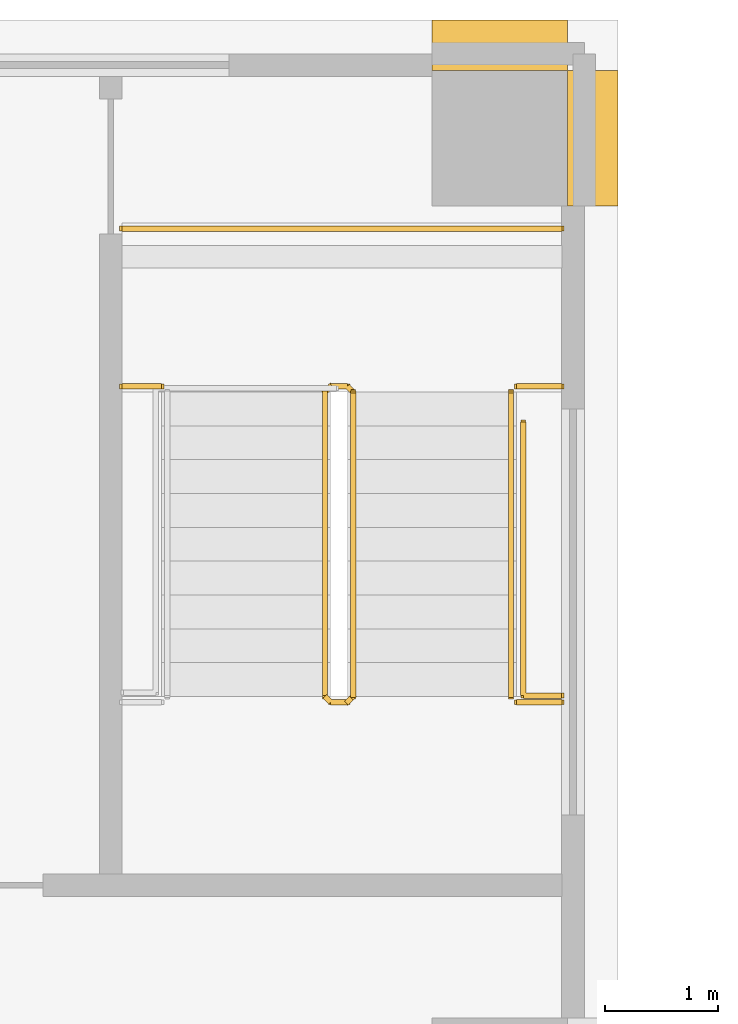
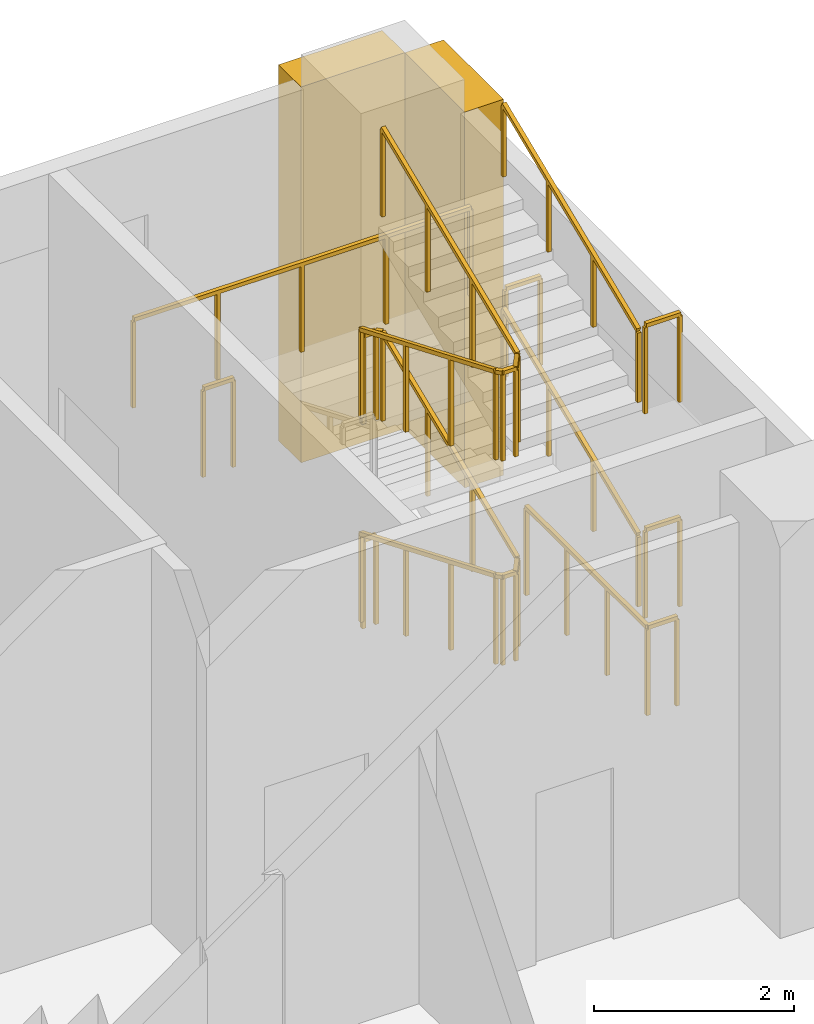
# One storey, part 21 of 21: 9 railings, 2 coverings.
"""IFC4 building model written with IfcOpenShell, lengths in metres."""

from ifc_helpers import new_model, si_unit, direction, frame, origin, origin_2d, place, context, subcontext, project, spatial, polyline, rectangle, outline, extrude, material, type_object, element, save


model = new_model("IFC4")

# Units and contexts
model_context = context("Model", 3, precision=1e-05, world=origin(), true_north=direction((0.0, 1.0)))
body_context = subcontext(model_context, "Body", "Model", "MODEL_VIEW")
ifc_project = project(units=[si_unit("LENGTHUNIT", "METRE"), si_unit("AREAUNIT", "SQUARE_METRE"), si_unit("VOLUMEUNIT", "CUBIC_METRE"), si_unit("PLANEANGLEUNIT", "RADIAN"), si_unit("MASSUNIT", "GRAM", prefix="KILO")], contexts=[model_context])

# Site, building, storey
site_placement = place(None, origin())
site = spatial("IfcSite", under=ifc_project, at=site_placement, CompositionType="ELEMENT")
building_placement = place(site_placement, origin())
building = spatial("IfcBuilding", under=site, at=building_placement, Name="Vermilion Ogive Tower", CompositionType="ELEMENT")
storey_placement = place(building_placement, frame((0.0, 0.0, 25.0)))
storey = spatial("IfcBuildingStorey", under=building, at=storey_placement, Name="L04", CompositionType="ELEMENT", Elevation=25.0)

# Railings
ifc_material_1 = material(Name="Steel S355 painted", Category="steel")
railing_type_1 = type_object("IfcRailingType", Name="Stair guard 1100", PredefinedType="GUARDRAIL", material=ifc_material_1)
railing_1_placement = place(storey_placement, frame((40.64990234375, 27.199951171875, 0.0)))
element("IfcRailing", 1, at=railing_1_placement, inside=storey, type_object=railing_type_1, Name="L04 PS2 stair guard 8", PredefinedType="GUARDRAIL", context=body_context, shape_type="SweptSolid", body=[
    extrude(rectangle(XDim=0.048095703125, YDim=0.048095703125, at=origin_2d()), frame((0.0, 0.0, 1.076171875), z_axis=(-1.0, 0.0, 0.0), x_axis=(0.0, -1.0, 0.0)), (0.0, 0.0, 1.0), 0.14990234375),
    extrude(rectangle(XDim=0.048095703125, YDim=0.048095703125, at=origin_2d()), frame((-0.14990234375, 0.0, 1.076171875), z_axis=(-0.34841279274, -0.34841279274, 0.870182194549), x_axis=(0.707106781187, -0.707106781187, 0.0)), (0.0, 0.0, 1.0), 0.1435546875),
    extrude(rectangle(XDim=0.048095703125, YDim=0.048095703125, at=origin_2d()), frame((-0.199951171875, -0.050048828125, 1.201171875), z_axis=(0.0, -0.923074453586, 0.384621311341), x_axis=(1.0, 0.0, 0.0)), (0.0, 0.0, 1.0), 2.925048828125),
    extrude(rectangle(XDim=0.048095703125, YDim=0.048095703125, at=origin_2d()), frame((-0.199951171875, -2.75, 2.326171875), z_axis=(0.707106781187, -0.707106781187, 0.0), x_axis=(0.707106781187, 0.707106781187, 0.0)), (0.0, 0.0, 1.0), 0.07080078125),
    extrude(rectangle(XDim=0.048095703125, YDim=0.048095703125, at=origin_2d()), frame((-0.14990234375, -2.800048828125, 2.326171875), z_axis=(1.0, 0.0, 0.0), x_axis=(0.0, 1.0, 0.0)), (0.0, 0.0, 1.0), 0.14990234375),
    extrude(rectangle(XDim=0.048095703125, YDim=0.048095703125, at=origin_2d()), frame((0.0, -2.800048828125, 2.326171875), z_axis=(0.34841279274, 0.34841279274, 0.870182194549), x_axis=(-0.707106781187, 0.707106781187, 0.0)), (0.0, 0.0, 1.0), 0.1435546875),
    extrude(rectangle(XDim=0.048095703125, YDim=0.048095703125, at=origin_2d()), frame((0.050048828125, -2.75, 2.451171875), z_axis=(0.0, 0.923074453586, 0.384621311341), x_axis=(-1.0, 0.0, 0.0)), (0.0, 0.0, 1.0), 2.925048828125),
    extrude(rectangle(XDim=0.048095703125, YDim=0.048095703125, at=origin_2d()), frame((0.050048828125, -0.050048828125, 3.576171875), z_axis=(-0.707106781187, 0.707106781187, 0.0), x_axis=(-0.707106781187, -0.707106781187, 0.0)), (0.0, 0.0, 1.0), 0.07080078125),
    extrude(rectangle(XDim=0.048095703125, YDim=0.048095703125, at=origin_2d()), frame((0.0, 0.0, 3.576171875), z_axis=(-1.0, 0.0, 0.0), x_axis=(0.0, -1.0, 0.0)), (0.0, 0.0, 1.0), 0.14990234375),
    extrude(rectangle(XDim=0.048095703125, YDim=0.048095703125, at=origin_2d()), frame((-0.14990234375, 0.0, 3.576171875), z_axis=(-0.34841279274, -0.34841279274, 0.870182194549), x_axis=(0.707106781187, -0.707106781187, 0.0)), (0.0, 0.0, 1.0), 0.1435546875),
    extrude(rectangle(XDim=0.048095703125, YDim=0.048095703125, at=origin_2d()), frame((-0.199951171875, -0.050048828125, 3.701171875), z_axis=(0.0, -0.923074453586, 0.384621311341), x_axis=(1.0, 0.0, 0.0)), (0.0, 0.0, 1.0), 2.925048828125),
    extrude(rectangle(XDim=0.048095703125, YDim=0.048095703125, at=origin_2d()), frame((-0.199951171875, -2.75, 4.826171875), z_axis=(0.707106781187, -0.707106781187, 0.0), x_axis=(0.707106781187, 0.707106781187, 0.0)), (0.0, 0.0, 1.0), 0.07080078125),
    extrude(rectangle(XDim=0.048095703125, YDim=0.048095703125, at=origin_2d()), frame((-0.14990234375, -2.800048828125, 4.826171875), z_axis=(1.0, 0.0, 0.0), x_axis=(0.0, 1.0, 0.0)), (0.0, 0.0, 1.0), 0.14990234375),
    extrude(rectangle(XDim=0.048095703125, YDim=0.048095703125, at=origin_2d()), frame((0.0, -2.800048828125, 4.826171875), z_axis=(0.34841279274, 0.34841279274, 0.870182194549), x_axis=(-0.707106781187, 0.707106781187, 0.0)), (0.0, 0.0, 1.0), 0.1435546875),
    extrude(rectangle(XDim=0.048095703125, YDim=0.048095703125, at=origin_2d()), frame((0.050048828125, -2.75, 4.951171875), z_axis=(0.0, 0.923074453586, 0.384621311341), x_axis=(-1.0, 0.0, 0.0)), (0.0, 0.0, 1.0), 2.925048828125),
    extrude(rectangle(XDim=0.0419921875, YDim=0.0419921875, at=origin_2d()), origin(), (0.0, 0.0, 1.0), 1.052001953125),
    extrude(rectangle(XDim=0.0419921875, YDim=0.0419921875, at=origin_2d()), frame((-0.14990234375, 0.0, 0.0)), (0.0, 0.0, 1.0), 1.052001953125),
    extrude(rectangle(XDim=0.0419921875, YDim=0.0419921875, at=origin_2d()), frame((-0.199951171875, -0.050048828125, 0.125)), (0.0, 0.0, 1.0), 1.052001953125),
    extrude(rectangle(XDim=0.0419921875, YDim=0.0419921875, at=origin_2d()), frame((-0.199951171875, -0.949951171875, 0.5)), (0.0, 0.0, 1.0), 1.052001953125),
    extrude(rectangle(XDim=0.0419921875, YDim=0.0419921875, at=origin_2d()), frame((-0.199951171875, -1.85009765625, 0.875)), (0.0, 0.0, 1.0), 1.052001953125),
    extrude(rectangle(XDim=0.0419921875, YDim=0.0419921875, at=origin_2d()), frame((-0.199951171875, -2.75, 1.25)), (0.0, 0.0, 1.0), 1.052001953125),
    extrude(rectangle(XDim=0.0419921875, YDim=0.0419921875, at=origin_2d()), frame((-0.14990234375, -2.800048828125, 1.25)), (0.0, 0.0, 1.0), 1.052001953125),
    extrude(rectangle(XDim=0.0419921875, YDim=0.0419921875, at=origin_2d()), frame((0.0, -2.800048828125, 1.25)), (0.0, 0.0, 1.0), 1.052001953125),
    extrude(rectangle(XDim=0.0419921875, YDim=0.0419921875, at=origin_2d()), frame((0.050048828125, -2.75, 1.375)), (0.0, 0.0, 1.0), 1.052001953125),
    extrude(rectangle(XDim=0.0419921875, YDim=0.0419921875, at=origin_2d()), frame((0.050048828125, -1.85009765625, 1.75)), (0.0, 0.0, 1.0), 1.052001953125),
    extrude(rectangle(XDim=0.0419921875, YDim=0.0419921875, at=origin_2d()), frame((0.050048828125, -0.949951171875, 2.125)), (0.0, 0.0, 1.0), 1.052001953125),
    extrude(rectangle(XDim=0.0419921875, YDim=0.0419921875, at=origin_2d()), frame((0.050048828125, -0.050048828125, 2.5)), (0.0, 0.0, 1.0), 1.052001953125),
    extrude(rectangle(XDim=0.0419921875, YDim=0.0419921875, at=origin_2d()), frame((0.0, 0.0, 2.5)), (0.0, 0.0, 1.0), 1.052001953125),
    extrude(rectangle(XDim=0.0419921875, YDim=0.0419921875, at=origin_2d()), frame((-0.14990234375, 0.0, 2.5)), (0.0, 0.0, 1.0), 1.052001953125),
    extrude(rectangle(XDim=0.0419921875, YDim=0.0419921875, at=origin_2d()), frame((-0.199951171875, -0.050048828125, 2.625)), (0.0, 0.0, 1.0), 1.052001953125),
    extrude(rectangle(XDim=0.0419921875, YDim=0.0419921875, at=origin_2d()), frame((-0.199951171875, -0.949951171875, 3.0)), (0.0, 0.0, 1.0), 1.052001953125),
    extrude(rectangle(XDim=0.0419921875, YDim=0.0419921875, at=origin_2d()), frame((-0.199951171875, -1.85009765625, 3.375)), (0.0, 0.0, 1.0), 1.052001953125),
    extrude(rectangle(XDim=0.0419921875, YDim=0.0419921875, at=origin_2d()), frame((-0.199951171875, -2.75, 3.75)), (0.0, 0.0, 1.0), 1.052001953125),
    extrude(rectangle(XDim=0.0419921875, YDim=0.0419921875, at=origin_2d()), frame((-0.14990234375, -2.800048828125, 3.75)), (0.0, 0.0, 1.0), 1.052001953125),
    extrude(rectangle(XDim=0.0419921875, YDim=0.0419921875, at=origin_2d()), frame((0.0, -2.800048828125, 3.75)), (0.0, 0.0, 1.0), 1.052001953125),
    extrude(rectangle(XDim=0.0419921875, YDim=0.0419921875, at=origin_2d()), frame((0.050048828125, -2.75, 3.875)), (0.0, 0.0, 1.0), 1.052001953125),
    extrude(rectangle(XDim=0.0419921875, YDim=0.0419921875, at=origin_2d()), frame((0.050048828125, -1.85009765625, 4.25)), (0.0, 0.0, 1.0), 1.052001953125),
    extrude(rectangle(XDim=0.0419921875, YDim=0.0419921875, at=origin_2d()), frame((0.050048828125, -0.949951171875, 4.625)), (0.0, 0.0, 1.0), 1.052001953125),
    extrude(rectangle(XDim=0.0419921875, YDim=0.0419921875, at=origin_2d()), frame((0.050048828125, -0.050048828125, 5.0)), (0.0, 0.0, 1.0), 1.052001953125),
])
railing_2_placement = place(storey_placement, frame((42.14990234375, 24.39990234375, 1.25)))
element("IfcRailing", 2, at=railing_2_placement, inside=storey, type_object=railing_type_1, Name="L04 landing guard", PredefinedType="GUARDRAIL", context=body_context, shape_type="SweptSolid", body=[
    extrude(rectangle(XDim=0.048095703125, YDim=0.048095703125, at=origin_2d()), frame((0.0, 0.0, 1.076171875), z_axis=(1.0, 0.0, 0.0), x_axis=(0.0, 1.0, 0.0)), (0.0, 0.0, 1.0), 0.400146484375),
    extrude(rectangle(XDim=0.0419921875, YDim=0.0419921875, at=origin_2d()), origin(), (0.0, 0.0, 1.0), 1.052001953125),
    extrude(rectangle(XDim=0.0419921875, YDim=0.0419921875, at=origin_2d()), frame((0.400146484375, 0.0, 0.0)), (0.0, 0.0, 1.0), 1.052001953125),
])
railing_3_placement = place(storey_placement, frame((38.650146484375, 28.60009765625, 2.5)))
element("IfcRailing", 3, at=railing_3_placement, inside=storey, type_object=railing_type_1, Name="L04 landing guard", PredefinedType="GUARDRAIL", context=body_context, shape_type="SweptSolid", body=[
    extrude(rectangle(XDim=0.048095703125, YDim=0.048095703125, at=origin_2d()), frame((0.0, 0.0, 1.076171875), z_axis=(1.0, 0.0, 0.0), x_axis=(0.0, 1.0, 0.0)), (0.0, 0.0, 1.0), 3.89990234375),
    extrude(rectangle(XDim=0.0419921875, YDim=0.0419921875, at=origin_2d()), origin(), (0.0, 0.0, 1.0), 1.052001953125),
    extrude(rectangle(XDim=0.0419921875, YDim=0.0419921875, at=origin_2d()), frame((0.97509765625, 0.0, 0.0)), (0.0, 0.0, 1.0), 1.052001953125),
    extrude(rectangle(XDim=0.0419921875, YDim=0.0419921875, at=origin_2d()), frame((1.949951171875, 0.0, 0.0)), (0.0, 0.0, 1.0), 1.052001953125),
    extrude(rectangle(XDim=0.0419921875, YDim=0.0419921875, at=origin_2d()), frame((2.9248046875, 0.0, 0.0)), (0.0, 0.0, 1.0), 1.052001953125),
    extrude(rectangle(XDim=0.0419921875, YDim=0.0419921875, at=origin_2d()), frame((3.89990234375, 0.0, 0.0)), (0.0, 0.0, 1.0), 1.052001953125),
])
railing_4_placement = place(storey_placement, frame((38.650146484375, 27.199951171875, 2.5)))
element("IfcRailing", 4, at=railing_4_placement, inside=storey, type_object=railing_type_1, Name="L04 landing guard", PredefinedType="GUARDRAIL", context=body_context, shape_type="SweptSolid", body=[
    extrude(rectangle(XDim=0.048095703125, YDim=0.048095703125, at=origin_2d()), frame((0.0, 0.0, 1.076171875), z_axis=(1.0, 0.0, 0.0), x_axis=(0.0, 1.0, 0.0)), (0.0, 0.0, 1.0), 0.349853515625),
    extrude(rectangle(XDim=0.0419921875, YDim=0.0419921875, at=origin_2d()), origin(), (0.0, 0.0, 1.0), 1.052001953125),
    extrude(rectangle(XDim=0.0419921875, YDim=0.0419921875, at=origin_2d()), frame((0.349853515625, 0.0, 0.0)), (0.0, 0.0, 1.0), 1.052001953125),
])
for number, where, name in (
    (5, (42.14990234375, 27.199951171875, 2.5), "L04 landing guard"),
    (6, (42.14990234375, 24.39990234375, 3.75), "L04 landing guard"),
):
    element("IfcRailing", number, at=place(storey_placement, frame(where)), inside=storey, type_object=railing_type_1, Name=name, PredefinedType="GUARDRAIL", context=body_context, shape_type="SweptSolid", body=[
        extrude(rectangle(XDim=0.048095703125, YDim=0.048095703125, at=origin_2d()), frame((0.0, 0.0, 1.076171875), z_axis=(1.0, 0.0, 0.0), x_axis=(0.0, 1.0, 0.0)), (0.0, 0.0, 1.0), 0.400146484375),
        extrude(rectangle(XDim=0.0419921875, YDim=0.0419921875, at=origin_2d()), origin(), (0.0, 0.0, 1.0), 1.052001953125),
        extrude(rectangle(XDim=0.0419921875, YDim=0.0419921875, at=origin_2d()), frame((0.400146484375, 0.0, 0.0)), (0.0, 0.0, 1.0), 1.052001953125),
    ])
railing_5_placement = place(storey_placement, frame((42.209228515625, 26.88232421875, 0.0)))
element("IfcRailing", 7, at=railing_5_placement, inside=storey, type_object=railing_type_1, Name="L04 stair opening guard", PredefinedType="GUARDRAIL", context=body_context, shape_type="SweptSolid", body=[
    extrude(rectangle(XDim=0.048095703125, YDim=0.048095703125, at=origin_2d()), frame((0.0, 0.0, 1.076171875), z_axis=(0.0, -1.0, 0.0), x_axis=(1.0, 0.0, 0.0)), (0.0, 0.0, 1.0), 2.424072265625),
    extrude(rectangle(XDim=0.048095703125, YDim=0.048095703125, at=origin_2d()), frame((0.0, -2.424072265625, 1.076171875), z_axis=(1.0, 0.0, 0.0), x_axis=(0.0, 1.0, 0.0)), (0.0, 0.0, 1.0), 0.340087890625),
    extrude(rectangle(XDim=0.0419921875, YDim=0.0419921875, at=origin_2d()), origin(), (0.0, 0.0, 1.0), 1.052001953125),
    extrude(rectangle(XDim=0.0419921875, YDim=0.0419921875, at=origin_2d()), frame((0.0, -0.80810546875, 0.0)), (0.0, 0.0, 1.0), 1.052001953125),
    extrude(rectangle(XDim=0.0419921875, YDim=0.0419921875, at=origin_2d()), frame((0.0, -1.615966796875, 0.0)), (0.0, 0.0, 1.0), 1.052001953125),
    extrude(rectangle(XDim=0.0419921875, YDim=0.0419921875, at=origin_2d()), frame((0.0, -2.424072265625, 0.0)), (0.0, 0.0, 1.0), 1.052001953125),
    extrude(rectangle(XDim=0.0419921875, YDim=0.0419921875, at=origin_2d()), frame((0.340087890625, -2.424072265625, 0.0)), (0.0, 0.0, 1.0), 1.052001953125),
])
ifc_material_2 = material(Name="Stainless steel", Category="steel")
railing_type_2 = type_object("IfcRailingType", Name="Stair handrail 900", PredefinedType="HANDRAIL", material=ifc_material_2)
for number, where, name in (
    (8, (42.10009765625, 24.449951171875, 1.375), "L04 PS2 stair handrail 2"),
    (9, (42.10009765625, 24.449951171875, 3.875), "L04 PS2 stair handrail 4"),
):
    element("IfcRailing", number, at=place(storey_placement, frame(where)), inside=storey, type_object=railing_type_2, Name=name, PredefinedType="HANDRAIL", context=body_context, shape_type="SweptSolid", body=[
        extrude(rectangle(XDim=0.048095703125, YDim=0.048095703125, at=origin_2d()), frame((0.0, 0.0, 0.8759765625), z_axis=(0.0, 0.923074453586, 0.384621311341), x_axis=(-1.0, 0.0, 0.0)), (0.0, 0.0, 1.0), 2.925048828125),
        extrude(rectangle(XDim=0.0419921875, YDim=0.0419921875, at=origin_2d()), origin(), (0.0, 0.0, 1.0), 0.851806640625),
        extrude(rectangle(XDim=0.0419921875, YDim=0.0419921875, at=origin_2d()), frame((0.0, 0.89990234375, 0.375)), (0.0, 0.0, 1.0), 0.851806640625),
        extrude(rectangle(XDim=0.0419921875, YDim=0.0419921875, at=origin_2d()), frame((0.0, 1.800048828125, 0.75)), (0.0, 0.0, 1.0), 0.851806640625),
        extrude(rectangle(XDim=0.0419921875, YDim=0.0419921875, at=origin_2d()), frame((0.0, 2.699951171875, 1.125)), (0.0, 0.0, 1.0), 0.851806640625),
    ])

# Coverings
ifc_material_3 = material(Name="Stone cladding", Category="masonry")
covering_type = type_object("IfcCoveringType", Name="Stone pier", PredefinedType="CLADDING", material=ifc_material_3)
covering_1_placement = place(storey_placement, origin())
element("IfcCovering", 10, at=covering_1_placement, inside=storey, type_object=covering_type, Name="Stone pier P+420+294E", PredefinedType="CLADDING", context=body_context, shape_type="SweptSolid", body=[
    extrude(outline(polyline([(43.050048828125, 30.0), (43.050048828125, 28.800048828125), (42.60009765625, 28.800048828125), (42.60009765625, 30.0), (43.050048828125, 30.0)])), origin(), (0.0, 0.0, 1.0), 4.60009765625),
])
covering_2_placement = place(storey_placement, origin())
element("IfcCovering", 11, at=covering_2_placement, inside=storey, type_object=covering_type, Name="Stone pier P+420+294N", PredefinedType="CLADDING", context=body_context, shape_type="SweptSolid", body=[
    extrude(outline(polyline([(42.60009765625, 30.449951171875), (42.60009765625, 30.0), (41.39990234375, 30.0), (41.39990234375, 30.449951171875), (42.60009765625, 30.449951171875)])), origin(), (0.0, 0.0, 1.0), 4.60009765625),
])

save(model, "model.ifc")
